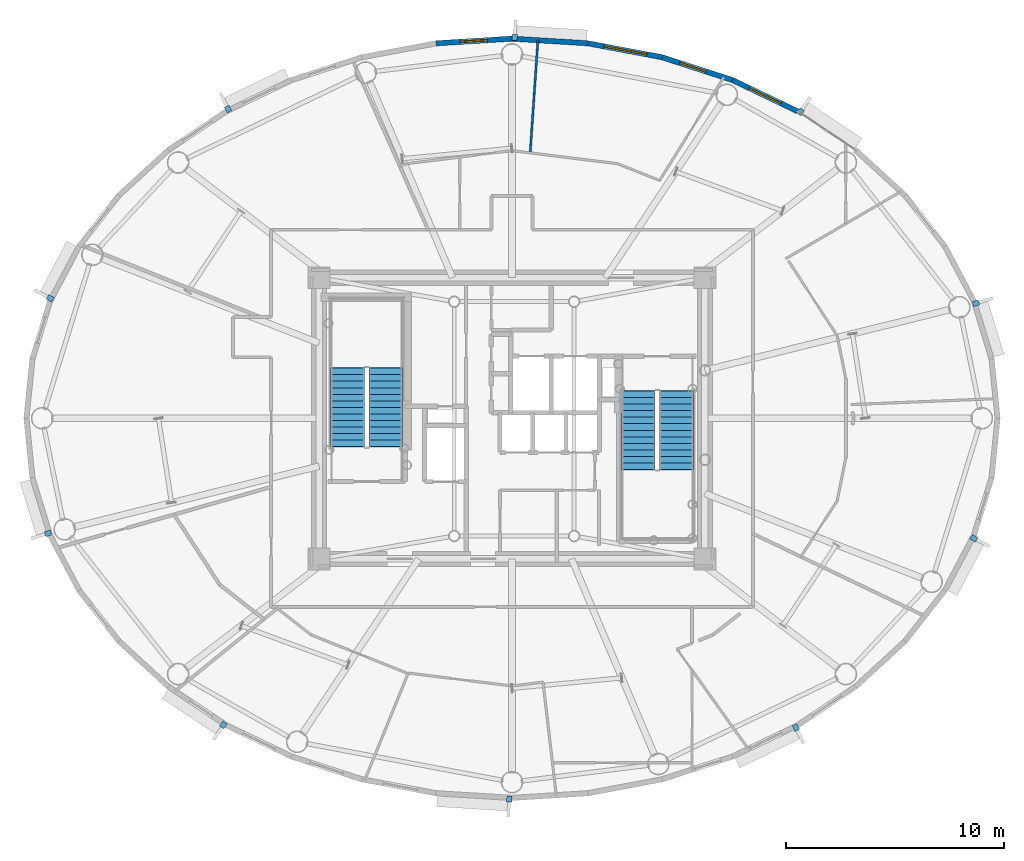
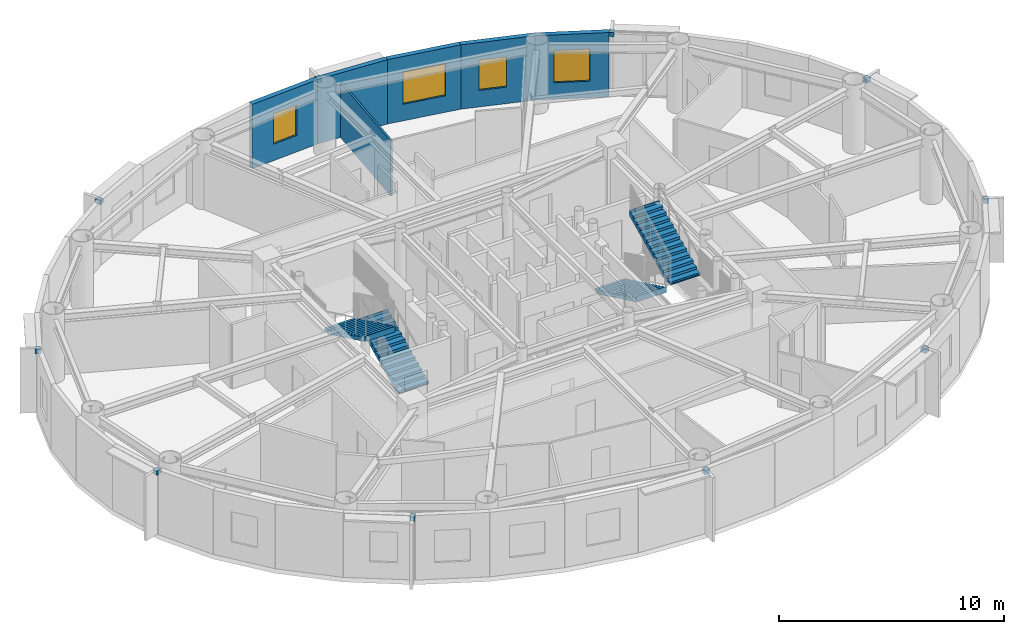
# One storey, part 10 of 17: 10 discrete accessories, 6 walls, 4 stair flights, 4 windows, 4 openings, 2 elements without a shape of their own.
"""IFC4 building model written with IfcOpenShell, lengths in metres."""

from ifc_helpers import new_model, si_unit, direction, frame, frame_2d, origin, origin_2d, place, context, subcontext, project, spatial, polyline, rectangle, outline, extrude, source, transform, mapped, material, layer, layer_set, type_object, element, fill, aggregate, save


model = new_model("IFC4")

# Units and contexts
model_context = context("Model", 3, precision=1e-05, world=origin(), true_north=direction((0.0, 1.0)))
body_context = subcontext(model_context, "Body", "Model", "MODEL_VIEW")
ifc_project = project(units=[si_unit("LENGTHUNIT", "METRE"), si_unit("AREAUNIT", "SQUARE_METRE"), si_unit("VOLUMEUNIT", "CUBIC_METRE"), si_unit("PLANEANGLEUNIT", "RADIAN"), si_unit("MASSUNIT", "GRAM", prefix="KILO")], contexts=[model_context])

# Site, building, storey
site_placement = place(None, origin())
site = spatial("IfcSite", under=ifc_project, at=site_placement, CompositionType="ELEMENT")
building_placement = place(site_placement, origin())
building = spatial("IfcBuilding", under=site, at=building_placement, Name="Linh Dai School and Residence Tower", CompositionType="ELEMENT")
storey_placement = place(building_placement, frame((0.0, 0.0, 310.5)))
storey = spatial("IfcBuildingStorey", under=building, at=storey_placement, Name="L77", CompositionType="ELEMENT", Elevation=310.5)

# Wall, opening, window
ifc_material_1 = material(Name="Precast Concrete B45 (C35/45)", Category="concrete")
ifc_layer_1 = layer(ifc_material_1, 0.239990234375)
ifc_layer_set_1 = layer_set([ifc_layer_1], Name="Precast Concrete B45 (C35/45)")
wall_type_1 = type_object("IfcWallType", Name="EW-TC-240", PredefinedType="SOLIDWALL", material=ifc_layer_set_1)
wall_1_placement = place(storey_placement, frame((46.123046875, 42.51220703125, 0.0), z_axis=(0.0, 0.0, 1.0), x_axis=(0.901573741254, -0.43262546051, 0.0)))
wall_1 = element("IfcWall", 1, at=wall_1_placement, inside=storey, type_object=wall_type_1, Name="L77 Terracotta Exterior Wall 07", PredefinedType="SOLIDWALL", context=body_context, shape_type="SweptSolid", body=[
    extrude(rectangle(XDim=3.306884765625, YDim=0.239990234375, at=frame_2d((1.6533203125, 0.0))), origin(), (0.0, 0.0, 1.0), 3.5),
])
opening_1_placement = place(wall_1_placement, frame((0.853271484375, 0.0, 0.89990234375)))
opening_1 = element("IfcOpeningElement", 2, at=opening_1_placement, cuts=wall_1, Name="Opening W2", PredefinedType="OPENING", context=body_context, shape_type="SweptSolid", body=[
    extrude(rectangle(XDim=1.60009765625, YDim=1.75, at=origin_2d()), frame((0.800048828125, 0.1298828125, 0.875), z_axis=(0.0, -1.0, 0.0), x_axis=(1.0, 0.0, 0.0)), (0.0, 0.0, 1.0), 0.260009765625),
])
ifc_material_2 = material(Name="Double Low-E Insulated Glazing", Category="glass")
window_type_1 = type_object("IfcWindowType", Name="WN-RES-1600x1750", PartitioningType="DOUBLE_PANEL_VERTICAL", PredefinedType="WINDOW", material=ifc_material_2)
shared_shape_1 = source(origin(), body_context, "Body", "SweptSolid", [
    extrude(rectangle(XDim=1.60009765625, YDim=1.75, at=origin_2d()), frame((0.800048828125, 0.030029296875, 0.875), z_axis=(0.0, -1.0, 0.0), x_axis=(1.0, 0.0, 0.0)), (0.0, 0.0, 1.0), 0.06005859375),
])
window_1_placement = place(opening_1_placement, origin())
window_1 = element("IfcWindow", 3, at=window_1_placement, inside=storey, type_object=window_type_1, Name="L77 Exterior Window 07.1", OverallHeight=1.75, OverallWidth=1.60009765625, PartitioningType="DOUBLE_PANEL_VERTICAL", PredefinedType="WINDOW", context=body_context, shape_type="MappedRepresentation", body=[
    mapped(shared_shape_1, transform((0.0, 0.0, 0.0), x_axis=(1.0, 0.0, 0.0), y_axis=(0.0, 1.0, 0.0), z_axis=(0.0, 0.0, 1.0), scale=1.0)),
])
fill(opening_1, window_1)

wall_2_placement = place(storey_placement, frame((42.89111328125, 43.560302734375, 0.0), z_axis=(0.0, 0.0, 1.0), x_axis=(0.95123136723, -0.308478339592, 0.0)))
wall_2 = element("IfcWall", 4, at=wall_2_placement, inside=storey, type_object=wall_type_1, Name="L77 Terracotta Exterior Wall 08", PredefinedType="SOLIDWALL", context=body_context, shape_type="SweptSolid", body=[
    extrude(rectangle(XDim=3.397705078125, YDim=0.239990234375, at=frame_2d((1.69873046875, 0.0))), origin(), (0.0, 0.0, 1.0), 3.5),
])
opening_2_placement = place(wall_2_placement, frame((0.847900390625, 0.0, 0.89990234375)))
opening_2 = element("IfcOpeningElement", 5, at=opening_2_placement, cuts=wall_2, Name="Opening W3", PredefinedType="OPENING", context=body_context, shape_type="SweptSolid", body=[
    extrude(rectangle(XDim=1.25, YDim=1.64990234375, at=origin_2d()), frame((0.625, 0.1298828125, 0.824951171875), z_axis=(0.0, -1.0, 0.0), x_axis=(1.0, 0.0, 0.0)), (0.0, 0.0, 1.0), 0.260009765625),
])
window_type_2 = type_object("IfcWindowType", Name="WN-RES-1250x1650", PartitioningType="SINGLE_PANEL", PredefinedType="WINDOW", material=ifc_material_2)
shared_shape_2 = source(origin(), body_context, "Body", "SweptSolid", [
    extrude(rectangle(XDim=1.25, YDim=1.64990234375, at=origin_2d()), frame((0.625, 0.030029296875, 0.824951171875), z_axis=(0.0, -1.0, 0.0), x_axis=(1.0, 0.0, 0.0)), (0.0, 0.0, 1.0), 0.06005859375),
])
window_2_placement = place(opening_2_placement, origin())
window_2 = element("IfcWindow", 6, at=window_2_placement, inside=storey, type_object=window_type_2, Name="L77 Exterior Window 08.1", OverallHeight=1.64990234375, OverallWidth=1.25, PartitioningType="SINGLE_PANEL", PredefinedType="WINDOW", context=body_context, shape_type="MappedRepresentation", body=[
    mapped(shared_shape_2, transform((0.0, 0.0, 0.0), x_axis=(1.0, 0.0, 0.0), y_axis=(0.0, 1.0, 0.0), z_axis=(0.0, 0.0, 1.0), scale=1.0)),
])
fill(opening_2, window_2)

wall_3_placement = place(storey_placement, frame((39.48876953125, 44.199951171875, 0.0), z_axis=(0.0, 0.0, 1.0), x_axis=(0.982782655757, -0.184765395959, 0.0)))
wall_3 = element("IfcWall", 7, at=wall_3_placement, inside=storey, type_object=wall_type_1, Name="L77 Terracotta Exterior Wall 09", PredefinedType="SOLIDWALL", context=body_context, shape_type="SweptSolid", body=[
    extrude(rectangle(XDim=3.4619140625, YDim=0.239990234375, at=frame_2d((1.73095703125, 0.0))), origin(), (0.0, 0.0, 1.0), 3.5),
])
opening_3_placement = place(wall_3_placement, frame((0.73095703125, 0.0, 0.89990234375)))
opening_3 = element("IfcOpeningElement", 8, at=opening_3_placement, cuts=wall_3, Name="Opening W1", PredefinedType="OPENING", context=body_context, shape_type="SweptSolid", body=[
    extrude(rectangle(XDim=2.0, YDim=1.75, at=origin_2d()), frame((1.0, 0.1298828125, 0.875), z_axis=(0.0, -1.0, 0.0), x_axis=(1.0, 0.0, 0.0)), (0.0, 0.0, 1.0), 0.260009765625),
])
window_type_3 = type_object("IfcWindowType", Name="WN-RES-2000x1750", PartitioningType="DOUBLE_PANEL_VERTICAL", PredefinedType="WINDOW", material=ifc_material_2)
shared_shape_3 = source(origin(), body_context, "Body", "SweptSolid", [
    extrude(rectangle(XDim=2.0, YDim=1.75, at=origin_2d()), frame((1.0, 0.030029296875, 0.875), z_axis=(0.0, -1.0, 0.0), x_axis=(1.0, 0.0, 0.0)), (0.0, 0.0, 1.0), 0.06005859375),
])
window_3_placement = place(opening_3_placement, origin())
window_3 = element("IfcWindow", 9, at=window_3_placement, inside=storey, type_object=window_type_3, Name="L77 Exterior Window 09.1", OverallHeight=1.75, OverallWidth=2.0, PartitioningType="DOUBLE_PANEL_VERTICAL", PredefinedType="WINDOW", context=body_context, shape_type="MappedRepresentation", body=[
    mapped(shared_shape_3, transform((0.0, 0.0, 0.0), x_axis=(1.0, 0.0, 0.0), y_axis=(0.0, 1.0, 0.0), z_axis=(0.0, 0.0, 1.0), scale=1.0)),
])
fill(opening_3, window_3)

# Wall
wall_4_placement = place(storey_placement, frame((36.0, 44.4150390625, 0.0), z_axis=(0.0, 0.0, 1.0), x_axis=(0.998104946479, -0.061534671648, 0.0)))
element("IfcWall", 10, at=wall_4_placement, inside=storey, type_object=wall_type_1, Name="L77 Terracotta Exterior Wall 10", PredefinedType="SOLIDWALL", context=body_context, shape_type="SweptSolid", body=[
    extrude(rectangle(XDim=3.495361328125, YDim=0.239990234375, at=frame_2d((1.74755859375, 0.0))), origin(), (0.0, 0.0, 1.0), 3.5),
])

# Wall, opening, window
wall_5_placement = place(storey_placement, frame((32.51123046875, 44.199951171875, 0.0), z_axis=(0.0, 0.0, 1.0), x_axis=(0.998104946479, 0.061534671648, 0.0)))
wall_5 = element("IfcWall", 11, at=wall_5_placement, inside=storey, type_object=wall_type_1, Name="L77 Terracotta Exterior Wall 11", PredefinedType="SOLIDWALL", context=body_context, shape_type="SweptSolid", body=[
    extrude(rectangle(XDim=3.495361328125, YDim=0.239990234375, at=frame_2d((1.74755859375, 0.0))), origin(), (0.0, 0.0, 1.0), 3.5),
])
opening_4_placement = place(wall_5_placement, frame((1.122802734375, 0.0, 0.89990234375)))
opening_4 = element("IfcOpeningElement", 12, at=opening_4_placement, cuts=wall_5, Name="Opening W3", PredefinedType="OPENING", context=body_context, shape_type="SweptSolid", body=[
    extrude(rectangle(XDim=1.25, YDim=1.64990234375, at=origin_2d()), frame((0.625, 0.1298828125, 0.824951171875), z_axis=(0.0, -1.0, 0.0), x_axis=(1.0, 0.0, 0.0)), (0.0, 0.0, 1.0), 0.260009765625),
])
window_4_placement = place(opening_4_placement, origin())
window_4 = element("IfcWindow", 13, at=window_4_placement, inside=storey, type_object=window_type_2, Name="L77 Dwelling Window U7702-BD4", OverallHeight=1.64990234375, OverallWidth=1.25, PartitioningType="SINGLE_PANEL", PredefinedType="WINDOW", context=body_context, shape_type="MappedRepresentation", body=[
    mapped(shared_shape_2, transform((0.0, 0.0, 0.0), x_axis=(1.0, 0.0, 0.0), y_axis=(0.0, 1.0, 0.0), z_axis=(0.0, 0.0, 1.0), scale=1.0)),
])
fill(opening_4, window_4)

# Wall
ifc_material_3 = material(Name="Gypsum Plasterboard Acoustic Stud Partition", Category="masonry")
ifc_layer_2 = layer(ifc_material_3, 0.10009765625)
ifc_layer_set_2 = layer_set([ifc_layer_2], Name="Gypsum Plasterboard Acoustic Stud Partition")
wall_type_2 = type_object("IfcWallType", Name="IW-UNIT-100", PredefinedType="PARTITIONING", material=ifc_layer_set_2)
wall_6_placement = place(storey_placement, frame((36.834228515625, 39.174560546875, 0.0), z_axis=(0.0, 0.0, 1.0), x_axis=(0.068331768218, 0.997662653131, 0.0)))
element("IfcWall", 14, at=wall_6_placement, inside=storey, type_object=wall_type_2, Name="L77 Interior Partition Wall 046", PredefinedType="PARTITIONING", context=body_context, shape_type="SweptSolid", body=[
    extrude(rectangle(XDim=5.184326171875, YDim=0.10009765625, at=frame_2d((2.59228515625, 0.0))), origin(), (0.0, 0.0, 1.0), 2.985107421875),
])

# Stair, stair flights
ifc_material_4 = material(Name="Concrete B45 (C35/45)", Category="concrete")
stair_type = type_object("IfcStairType", Name="ST-DOG-1550-R1442", PredefinedType="HALF_TURN_STAIR", material=ifc_material_4)
stair_1_placement = place(storey_placement, origin())
stair_1 = element("IfcStair", 15, at=stair_1_placement, inside=storey, type_object=stair_type, Name="L77 Core Smokeproof Exit Stair ST1", PredefinedType="HALF_TURN_STAIR")
stair_flight_type = type_object("IfcStairFlightType", Name="STF-STR-1550-R1442", PredefinedType="STRAIGHT", material=ifc_material_4)
shared_shape_4 = source(origin(), body_context, "Body", "SweptSolid", [
    extrude(outline(polyline([(-0.02490234375, 0.0), (-0.02490234375, 0.06005859375), (0.0, 0.06005859375), (0.0, 0.144287109375), (0.300048828125, 0.144287109375), (0.300048828125, 0.28857421875), (0.60009765625, 0.28857421875), (0.60009765625, 0.4326171875), (0.89990234375, 0.4326171875), (0.89990234375, 0.576904296875), (1.199951171875, 0.576904296875), (1.199951171875, 0.72119140625), (1.5, 0.72119140625), (1.5, 0.865478515625), (1.800048828125, 0.865478515625), (1.800048828125, 1.009521484375), (2.10009765625, 1.009521484375), (2.10009765625, 1.15380859375), (2.39990234375, 1.15380859375), (2.39990234375, 1.298095703125), (2.699951171875, 1.298095703125), (2.699951171875, 1.4423828125), (3.0, 1.4423828125), (3.0, 1.58642578125), (3.300048828125, 1.58642578125), (3.300048828125, 1.730712890625), (3.60009765625, 1.730712890625), (3.60009765625, 1.875), (3.625, 1.875), (3.625, 1.564453125), (3.60009765625, 1.564453125), (0.345947265625, 0.0), (-0.02490234375, 0.0)])), frame((0.0, 0.77490234375, 0.0), z_axis=(0.0, -1.0, 0.0), x_axis=(1.0, 0.0, 0.0)), (0.0, 0.0, 1.0), 1.550048828125),
])
stair_flight_1_placement = place(storey_placement, frame((30.205078125, 25.699951171875, 0.0), z_axis=(0.0, 0.0, 1.0), x_axis=(0.0, 1.0, 0.0)))
stair_flight_1 = element("IfcStairFlight", 16, at=stair_flight_1_placement, type_object=stair_flight_type, Name="ST1 flight 1", NumberOfRisers=13, NumberOfTreads=12, PredefinedType="STRAIGHT", RiserHeight=0.144230769, TreadLength=0.3, context=body_context, shape_type="MappedRepresentation", body=[
    mapped(shared_shape_4, transform((0.0, 0.0, 0.0), x_axis=(1.0, 0.0, 0.0), y_axis=(0.0, 1.0, 0.0), z_axis=(0.0, 0.0, 1.0), scale=1.0)),
])
stair_flight_2_placement = place(storey_placement, frame((28.455078125, 29.300048828125, 1.875), z_axis=(0.0, 0.0, 1.0), x_axis=(0.0, -1.0, 0.0)))
stair_flight_2 = element("IfcStairFlight", 17, at=stair_flight_2_placement, type_object=stair_flight_type, Name="ST1 flight 2", NumberOfRisers=13, NumberOfTreads=12, PredefinedType="STRAIGHT", RiserHeight=0.144230769, TreadLength=0.3, context=body_context, shape_type="MappedRepresentation", body=[
    mapped(shared_shape_4, transform((0.0, 0.0, 0.0), x_axis=(1.0, 0.0, 0.0), y_axis=(0.0, 1.0, 0.0), z_axis=(0.0, 0.0, 1.0), scale=1.0)),
])
aggregate(stair_1, [stair_flight_1, stair_flight_2])

stair_2_placement = place(storey_placement, origin())
stair_2 = element("IfcStair", 18, at=stair_2_placement, inside=storey, type_object=stair_type, Name="L77 Core Smokeproof Exit Stair ST2", PredefinedType="HALF_TURN_STAIR")
stair_flight_3_placement = place(storey_placement, frame((41.794921875, 28.25, 0.0), z_axis=(0.0, 0.0, 1.0), x_axis=(0.0, -1.0, 0.0)))
stair_flight_3 = element("IfcStairFlight", 19, at=stair_flight_3_placement, type_object=stair_flight_type, Name="ST2 flight 1", NumberOfRisers=13, NumberOfTreads=12, PredefinedType="STRAIGHT", RiserHeight=0.144230769, TreadLength=0.3, context=body_context, shape_type="MappedRepresentation", body=[
    mapped(shared_shape_4, transform((0.0, 0.0, 0.0), x_axis=(1.0, 0.0, 0.0), y_axis=(0.0, 1.0, 0.0), z_axis=(0.0, 0.0, 1.0), scale=1.0)),
])
stair_flight_4_placement = place(storey_placement, frame((43.544921875, 24.64990234375, 1.875), z_axis=(0.0, 0.0, 1.0), x_axis=(0.0, 1.0, 0.0)))
stair_flight_4 = element("IfcStairFlight", 20, at=stair_flight_4_placement, type_object=stair_flight_type, Name="ST2 flight 2", NumberOfRisers=13, NumberOfTreads=12, PredefinedType="STRAIGHT", RiserHeight=0.144230769, TreadLength=0.3, context=body_context, shape_type="MappedRepresentation", body=[
    mapped(shared_shape_4, transform((0.0, 0.0, 0.0), x_axis=(1.0, 0.0, 0.0), y_axis=(0.0, 1.0, 0.0), z_axis=(0.0, 0.0, 1.0), scale=1.0)),
])
aggregate(stair_2, [stair_flight_3, stair_flight_4])

# Discrete accessories
ifc_material_5 = material(Name="Structural Steel S355JR", Category="steel")
discrete_accessory_type = type_object("IfcDiscreteAccessoryType", Name="ACC-BRK-S355", PredefinedType="BRACKET", material=ifc_material_5)
shared_shape_5 = source(origin(), body_context, "Body", "SweptSolid", [
    extrude(rectangle(XDim=0.280029296875, YDim=0.239990234375, at=origin_2d()), origin(), (0.0, 0.0, 1.0), 0.219970703125),
])
for number, where, z_axis, x_axis, name in (
    (21, (57.28076171875, 32.275146484375, 3.25), (0.0, 0.0, 1.0), (0.956069236934, 0.293140945944, 0.0), "L77 Facade Frame Anchor Bracket 02"),
    (22, (49.23779296875, 41.064697265625, 3.25), (0.0, 0.0, 1.0), (0.555907926874, 0.831243873264, 0.0), "L77 Facade Frame Anchor Bracket 06"),
    (23, (36.12353515625, 44.467529296875, 3.25), (0.0, 0.0, 1.0), (0.061509965157, 0.998106469364, 0.0), "L77 Facade Frame Anchor Bracket 10"),
    (24, (22.9775390625, 41.1875, 3.25), (0.0, 0.0, 1.0), (-0.432611916456, 0.901580240323, 0.0), "L77 Facade Frame Anchor Bracket 14"),
    (25, (14.81494140625, 32.50634765625, 3.25), (0.0, 0.0, 1.0), (-0.883938310975, 0.467603531201, 0.0), "L77 Facade Frame Anchor Bracket 18"),
    (26, (14.71923828125, 21.724853515625, 3.25), (0.0, 0.0, 1.0), (-0.956069236934, -0.293140945944, 0.0), "L77 Facade Frame Anchor Bracket 22"),
    (27, (22.76220703125, 12.935302734375, 3.25), (0.0, 0.0, 1.0), (-0.555905765624, -0.831245318631, 0.0), "L77 Facade Frame Anchor Bracket 26"),
    (28, (35.87646484375, 9.532470703125, 3.25), (0.0, 0.0, 1.0), (-0.061509965157, -0.998106469364, 0.0), "L77 Facade Frame Anchor Bracket 30"),
    (29, (49.0224609375, 12.8125, 3.25), (0.0, 0.0, 1.0), (0.432611916456, -0.901580240323, 0.0), "L77 Facade Frame Anchor Bracket 34"),
    (30, (57.18505859375, 21.49365234375, 3.25), (0.0, 0.0, 1.0), (0.883938310975, -0.467603531201, 0.0), "L77 Facade Frame Anchor Bracket 38"),
):
    element("IfcDiscreteAccessory", number, at=place(storey_placement, frame(where, z_axis=z_axis, x_axis=x_axis)), inside=storey, type_object=discrete_accessory_type, Name=name, PredefinedType="BRACKET", context=body_context, shape_type="MappedRepresentation", body=[
        mapped(shared_shape_5, transform((0.0, 0.0, 0.0), x_axis=(1.0, 0.0, 0.0), y_axis=(0.0, 1.0, 0.0), z_axis=(0.0, 0.0, 1.0), scale=1.0)),
    ])

save(model, "model.ifc")
